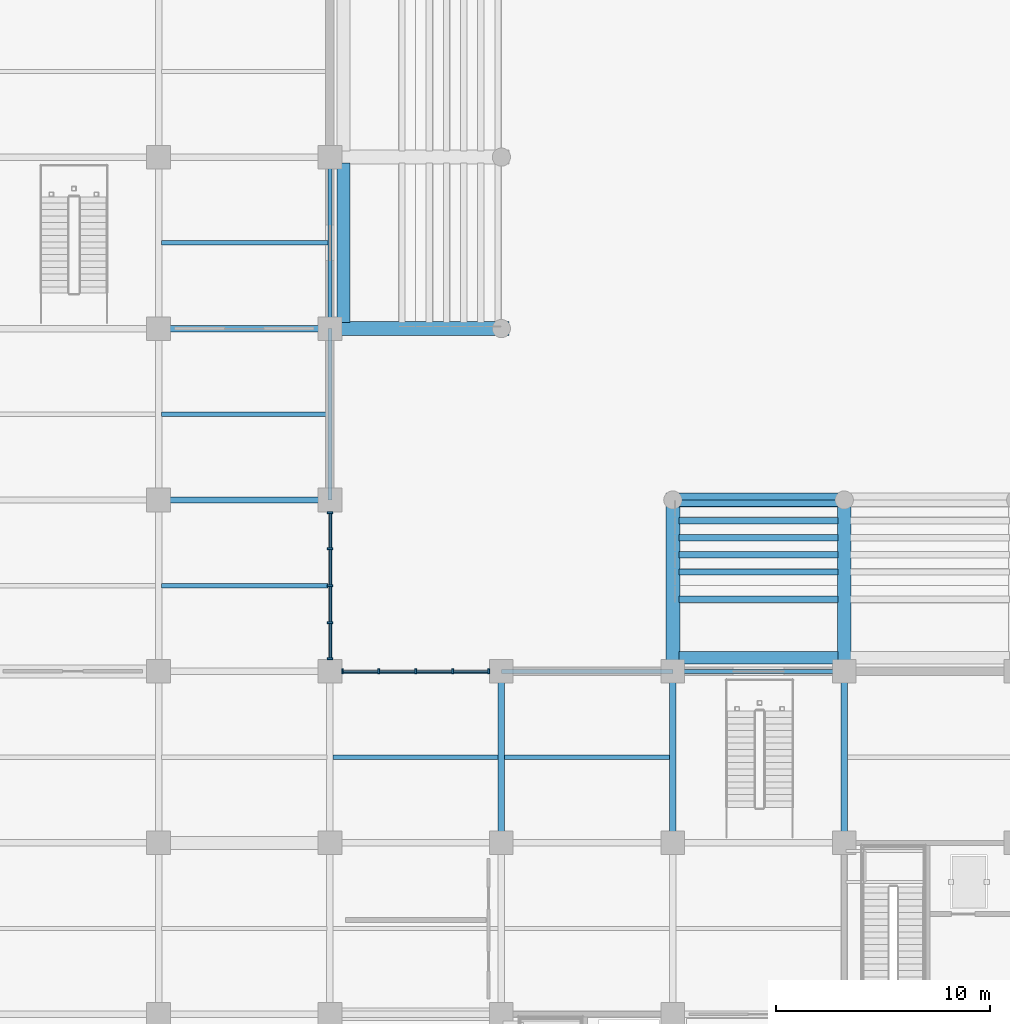
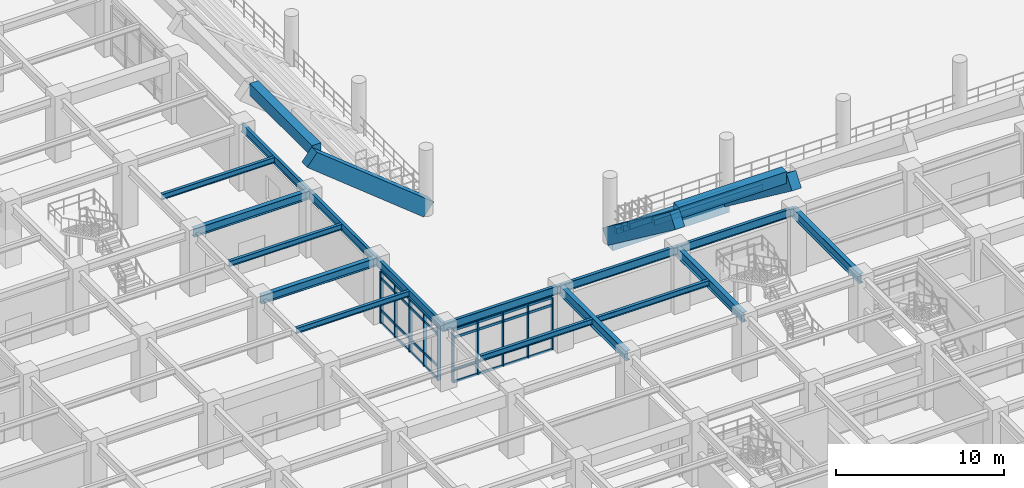
# One storey, part 25 of 125: 42 members, 28 beams, 2 elements without a shape of their own.
"""IFC4 building model written with IfcOpenShell, lengths in metres."""

from ifc_helpers import new_model, si_unit, direction, frame, origin, origin_2d, place, context, subcontext, project, spatial, rectangle, i_section, extrude, material, layer, layer_set, material_profile, profile_set, type_object, element, aggregate, save


model = new_model("IFC4")

# Units and contexts
model_context = context("Model", 3, precision=1e-05, world=origin(), true_north=direction((0.0, 1.0)))
body_context = subcontext(model_context, "Body", "Model", "MODEL_VIEW")
ifc_project = project(units=[si_unit("LENGTHUNIT", "METRE"), si_unit("AREAUNIT", "SQUARE_METRE"), si_unit("VOLUMEUNIT", "CUBIC_METRE"), si_unit("PLANEANGLEUNIT", "RADIAN"), si_unit("MASSUNIT", "GRAM", prefix="KILO")], contexts=[model_context])

# Site, building, storey
site_placement = place(None, origin())
site = spatial("IfcSite", under=ifc_project, at=site_placement, CompositionType="ELEMENT")
building_placement = place(site_placement, origin())
building = spatial("IfcBuilding", under=site, at=building_placement, Name="Haebicheon Civic Stadium", CompositionType="ELEMENT")
storey_placement = place(building_placement, origin())
storey = spatial("IfcBuildingStorey", under=building, at=storey_placement, Name="L01", CompositionType="ELEMENT", Elevation=0.0)

# Beams
ifc_material_1 = material(Name="Precast concrete C40/50", Category="concrete")
ifc_material_profile_1 = material_profile(ifc_material_1, rectangle(XDim=0.300048828125, YDim=0.39990234375, at=origin_2d()), Name="PC-LN-300x400")
ifc_profile_set_1 = profile_set([ifc_material_profile_1], Name="Precast concrete C40/50")
beam_type_1 = type_object("IfcBeamType", Name="BM-LN-300x400", PredefinedType="LINTEL", material=ifc_profile_set_1)
for number, where, z_axis, x_axis, name in (
    (1, (80.280029296875, 39.840087890625, 0.760009765625), (1.0, 0.0, 0.0), (0.0, 1.0, 0.0), "TIER-S-L precast step carrier beam 1.1"),
    (2, (80.280029296875, 39.0400390625, 1.427001953125), (1.0, 0.0, 0.0), (0.0, 1.0, 0.0), "TIER-S-L precast step carrier beam 1.2"),
    (3, (80.280029296875, 38.239990234375, 2.093017578125), (1.0, 0.0, 0.0), (0.0, 1.0, 0.0), "TIER-S-L precast step carrier beam 1.3"),
    (4, (80.280029296875, 37.43994140625, 2.760009765625), (1.0, 0.0, 0.0), (0.0, 1.0, 0.0), "TIER-S-L precast step carrier beam 1.4"),
    (5, (80.280029296875, 36.639892578125, 3.427001953125), (1.0, 0.0, 0.0), (0.0, 1.0, 0.0), "TIER-S-L precast step carrier beam 1.5"),
    (6, (80.280029296875, 35.360107421875, 4.093017578125), (1.0, 0.0, 0.0), (0.0, 1.0, 0.0), "TIER-S-L precast step carrier beam 1.6"),
):
    element("IfcBeam", number, at=place(storey_placement, frame(where, z_axis=z_axis, x_axis=x_axis)), inside=storey, type_object=beam_type_1, material=ifc_profile_set_1, Name=name, PredefinedType="LINTEL", context=body_context, shape_type="SweptSolid", body=[
        extrude(rectangle(XDim=0.300048828125, YDim=0.39990234375, at=origin_2d()), origin(), (0.0, 0.0, 1.0), 7.43994140625),
    ])
ifc_material_2 = material(Name="Concrete C40/50", Category="concrete")
ifc_material_profile_2 = material_profile(ifc_material_2, rectangle(XDim=0.64990234375, YDim=1.0, at=origin_2d()), Name="RC-BM-650x1000")
ifc_profile_set_2 = profile_set([ifc_material_profile_2], Name="Concrete C40/50")
beam_type_2 = type_object("IfcBeamType", Name="BM-RC-650x1000", PredefinedType="BEAM", material=ifc_profile_set_2)
beam_1_placement = place(storey_placement, frame((80.0, 40.0, -0.0400390625), z_axis=(1.0, 0.0, 0.0), x_axis=(0.0, 1.0, 0.0)))
element("IfcBeam", 7, at=beam_1_placement, inside=storey, type_object=beam_type_2, material=ifc_profile_set_2, Name="TIER-S-L nose support girder 1", PredefinedType="BEAM", context=body_context, shape_type="SweptSolid", body=[
    extrude(rectangle(XDim=0.64990234375, YDim=1.0, at=origin_2d()), origin(), (0.0, 0.0, 1.0), 8.0),
])
ifc_material_3 = material(Name="Steel SM355 (S355)", Category="steel")
ifc_material_profile_3 = material_profile(ifc_material_3, i_section(OverallWidth=0.300048828125, OverallDepth=0.60009765625, WebThickness=0.011962890625, FlangeThickness=0.02001953125, at=origin_2d()), Name="H-600x300x12x20")
ifc_profile_set_3 = profile_set([ifc_material_profile_3], Name="Steel SM355 (S355)")
beam_type_3 = type_object("IfcBeamType", Name="BM-ST-H600A", PredefinedType="BEAM", material=ifc_profile_set_3)
for number, where, z_axis, x_axis, name in (
    (8, (56.0, 40.0, 4.179931640625), (1.0, 0.0, 0.0), (0.0, 1.0, 0.0), "L01 beam F/8-9"),
    (9, (56.0, 48.0, 4.179931640625), (1.0, 0.0, 0.0), (0.0, 1.0, 0.0), "L01 beam G/8-9"),
):
    element("IfcBeam", number, at=place(storey_placement, frame(where, z_axis=z_axis, x_axis=x_axis)), inside=storey, type_object=beam_type_3, material=ifc_profile_set_3, Name=name, PredefinedType="BEAM", context=body_context, shape_type="SweptSolid", body=[
        extrude(i_section(OverallWidth=0.300048828125, OverallDepth=0.60009765625, WebThickness=0.011962890625, FlangeThickness=0.02001953125, at=origin_2d()), origin(), (0.0, 0.0, 1.0), 8.0),
    ])
ifc_material_4 = material(Name="Steel SM490", Category="steel")
ifc_material_profile_4 = material_profile(ifc_material_4, i_section(OverallWidth=0.300048828125, OverallDepth=0.699951171875, WebThickness=0.012939453125, FlangeThickness=0.02392578125, at=origin_2d()), Name="H-700x300x13x24")
ifc_profile_set_4 = profile_set([ifc_material_profile_4], Name="Steel SM490")
beam_type_4 = type_object("IfcBeamType", Name="BM-ST-H700", PredefinedType="BEAM", material=ifc_profile_set_4)
for number, where, z_axis, x_axis, name in (
    (10, (72.0, 24.0, 4.169921875), (0.0, 1.0, 0.0), (-1.0, 0.0, 0.0), "L01 girder 10/D-E"),
    (11, (80.0, 24.0, 4.169921875), (0.0, 1.0, 0.0), (-1.0, 0.0, 0.0), "L01 girder 11/D-E"),
    (12, (88.0, 24.0, 4.169921875), (0.0, 1.0, 0.0), (-1.0, 0.0, 0.0), "L01 girder 12/D-E"),
):
    element("IfcBeam", number, at=place(storey_placement, frame(where, z_axis=z_axis, x_axis=x_axis)), inside=storey, type_object=beam_type_4, material=ifc_profile_set_4, Name=name, PredefinedType="BEAM", context=body_context, shape_type="SweptSolid", body=[
        extrude(i_section(OverallWidth=0.300048828125, OverallDepth=0.699951171875, WebThickness=0.012939453125, FlangeThickness=0.02392578125, at=origin_2d()), origin(), (0.0, 0.0, 1.0), 8.0),
    ])
ifc_material_5 = material(Name="Precast concrete C40/50", Category="concrete")
ifc_material_profile_5 = material_profile(ifc_material_5, rectangle(XDim=0.60009765625, YDim=0.85009765625, at=origin_2d()), Name="PC-TB-600x850")
ifc_profile_set_5 = profile_set([ifc_material_profile_5], Name="Precast concrete C40/50")
beam_type_5 = type_object("IfcBeamType", Name="BM-TB-600x850", PredefinedType="T_BEAM", material=ifc_profile_set_5)
for number, where, z_axis, x_axis, name in (
    (13, (64.639892578125, 48.280029296875, 6.93505859375), (0.0, 1.0, 0.0), (-1.0, 0.0, 0.0), "TIER-W-L upper tier bench carrier beam 1"),
    (14, (80.280029296875, 32.639892578125, 6.534912109375), (1.0, 0.0, 0.0), (0.0, 1.0, 0.0), "TIER-S-L upper tier bench carrier beam 1"),
):
    element("IfcBeam", number, at=place(storey_placement, frame(where, z_axis=z_axis, x_axis=x_axis)), inside=storey, type_object=beam_type_5, material=ifc_profile_set_5, Name=name, PredefinedType="T_BEAM", context=body_context, shape_type="SweptSolid", body=[
        extrude(rectangle(XDim=0.60009765625, YDim=0.85009765625, at=origin_2d()), origin(), (0.0, 0.0, 1.0), 7.43994140625),
    ])

# Curtain wall, members
ifc_material_6 = material(Name="Anodised aluminium and laminated glass", Category="aluminium")
ifc_layer = layer(ifc_material_6, 0.179931640625, Name="Anodised aluminium and laminated glass")
ifc_layer_set = layer_set([ifc_layer], Name="Anodised aluminium and laminated glass")
curtain_wall_type = type_object("IfcCurtainWallType", Name="CW-6900x3770", PredefinedType="NOTDEFINED", material=ifc_layer_set)
curtain_wall_1_placement = place(storey_placement, origin())
curtain_wall_1 = element("IfcCurtainWall", 15, at=curtain_wall_1_placement, inside=storey, type_object=curtain_wall_type, material=ifc_layer_set, Name="L01 unitised curtain wall 005", PredefinedType="NOTDEFINED")
ifc_material_7 = material(Name="Anodised aluminium 6063-T6", Category="aluminium")
ifc_material_profile_6 = material_profile(ifc_material_7, rectangle(XDim=0.080078125, YDim=0.239990234375, at=origin_2d()), Name="ALU-MULL-80x240")
ifc_profile_set_6 = profile_set([ifc_material_profile_6], Name="Anodised aluminium 6063-T6")
member_type_1 = type_object("IfcMemberType", Name="CWM-240x80", PredefinedType="MULLION", material=ifc_profile_set_6)
member_1_placement = place(storey_placement, frame((64.0, 32.590087890625, 0.0), z_axis=(0.0, 0.0, 1.0), x_axis=(0.0, 1.0, 0.0)))
member_1 = element("IfcMember", 16, at=member_1_placement, type_object=member_type_1, material=ifc_profile_set_6, Name="CW-L01-005 vertical mullion 1", PredefinedType="MULLION", context=body_context, shape_type="SweptSolid", body=[
    extrude(rectangle(XDim=0.080078125, YDim=0.239990234375, at=origin_2d()), origin(), (0.0, 0.0, 1.0), 3.77001953125),
])
member_2_placement = place(storey_placement, frame((64.0, 34.27490234375, 0.0), z_axis=(0.0, 0.0, 1.0), x_axis=(0.0, 1.0, 0.0)))
member_2 = element("IfcMember", 17, at=member_2_placement, type_object=member_type_1, material=ifc_profile_set_6, Name="CW-L01-005 vertical mullion 2", PredefinedType="MULLION", context=body_context, shape_type="SweptSolid", body=[
    extrude(rectangle(XDim=0.080078125, YDim=0.239990234375, at=origin_2d()), origin(), (0.0, 0.0, 1.0), 3.77001953125),
])
member_3_placement = place(storey_placement, frame((64.0, 36.0, 0.0), z_axis=(0.0, 0.0, 1.0), x_axis=(0.0, 1.0, 0.0)))
member_3 = element("IfcMember", 18, at=member_3_placement, type_object=member_type_1, material=ifc_profile_set_6, Name="CW-L01-005 vertical mullion 3", PredefinedType="MULLION", context=body_context, shape_type="SweptSolid", body=[
    extrude(rectangle(XDim=0.080078125, YDim=0.239990234375, at=origin_2d()), origin(), (0.0, 0.0, 1.0), 3.77001953125),
])
member_4_placement = place(storey_placement, frame((64.0, 37.72509765625, 0.0), z_axis=(0.0, 0.0, 1.0), x_axis=(0.0, 1.0, 0.0)))
member_4 = element("IfcMember", 19, at=member_4_placement, type_object=member_type_1, material=ifc_profile_set_6, Name="CW-L01-005 vertical mullion 4", PredefinedType="MULLION", context=body_context, shape_type="SweptSolid", body=[
    extrude(rectangle(XDim=0.080078125, YDim=0.239990234375, at=origin_2d()), origin(), (0.0, 0.0, 1.0), 3.77001953125),
])
member_5_placement = place(storey_placement, frame((64.0, 39.409912109375, 0.0), z_axis=(0.0, 0.0, 1.0), x_axis=(0.0, 1.0, 0.0)))
member_5 = element("IfcMember", 20, at=member_5_placement, type_object=member_type_1, material=ifc_profile_set_6, Name="CW-L01-005 vertical mullion 5", PredefinedType="MULLION", context=body_context, shape_type="SweptSolid", body=[
    extrude(rectangle(XDim=0.080078125, YDim=0.239990234375, at=origin_2d()), origin(), (0.0, 0.0, 1.0), 3.77001953125),
])

curtain_wall_2_placement = place(storey_placement, origin())
curtain_wall_2 = element("IfcCurtainWall", 21, at=curtain_wall_2_placement, inside=storey, type_object=curtain_wall_type, material=ifc_layer_set, Name="L01 unitised curtain wall 009", PredefinedType="NOTDEFINED")
member_6_placement = place(storey_placement, frame((64.590087890625, 32.0, 0.0), z_axis=(0.0, 0.0, 1.0), x_axis=(1.0, 0.0, 0.0)))
member_6 = element("IfcMember", 22, at=member_6_placement, type_object=member_type_1, material=ifc_profile_set_6, Name="CW-L01-009 vertical mullion 1", PredefinedType="MULLION", context=body_context, shape_type="SweptSolid", body=[
    extrude(rectangle(XDim=0.080078125, YDim=0.239990234375, at=origin_2d()), origin(), (0.0, 0.0, 1.0), 3.77001953125),
])
member_7_placement = place(storey_placement, frame((66.27490234375, 32.0, 0.0), z_axis=(0.0, 0.0, 1.0), x_axis=(1.0, 0.0, 0.0)))
member_7 = element("IfcMember", 23, at=member_7_placement, type_object=member_type_1, material=ifc_profile_set_6, Name="CW-L01-009 vertical mullion 2", PredefinedType="MULLION", context=body_context, shape_type="SweptSolid", body=[
    extrude(rectangle(XDim=0.080078125, YDim=0.239990234375, at=origin_2d()), origin(), (0.0, 0.0, 1.0), 3.77001953125),
])
member_8_placement = place(storey_placement, frame((68.0, 32.0, 0.0), z_axis=(0.0, 0.0, 1.0), x_axis=(1.0, 0.0, 0.0)))
member_8 = element("IfcMember", 24, at=member_8_placement, type_object=member_type_1, material=ifc_profile_set_6, Name="CW-L01-009 vertical mullion 3", PredefinedType="MULLION", context=body_context, shape_type="SweptSolid", body=[
    extrude(rectangle(XDim=0.080078125, YDim=0.239990234375, at=origin_2d()), origin(), (0.0, 0.0, 1.0), 3.77001953125),
])
member_9_placement = place(storey_placement, frame((69.72509765625, 32.0, 0.0), z_axis=(0.0, 0.0, 1.0), x_axis=(1.0, 0.0, 0.0)))
member_9 = element("IfcMember", 25, at=member_9_placement, type_object=member_type_1, material=ifc_profile_set_6, Name="CW-L01-009 vertical mullion 4", PredefinedType="MULLION", context=body_context, shape_type="SweptSolid", body=[
    extrude(rectangle(XDim=0.080078125, YDim=0.239990234375, at=origin_2d()), origin(), (0.0, 0.0, 1.0), 3.77001953125),
])
member_10_placement = place(storey_placement, frame((71.409912109375, 32.0, 0.0), z_axis=(0.0, 0.0, 1.0), x_axis=(1.0, 0.0, 0.0)))
member_10 = element("IfcMember", 26, at=member_10_placement, type_object=member_type_1, material=ifc_profile_set_6, Name="CW-L01-009 vertical mullion 5", PredefinedType="MULLION", context=body_context, shape_type="SweptSolid", body=[
    extrude(rectangle(XDim=0.080078125, YDim=0.239990234375, at=origin_2d()), origin(), (0.0, 0.0, 1.0), 3.77001953125),
])

# Member
ifc_material_8 = material(Name="Anodised aluminium 6063-T6", Category="aluminium")
ifc_material_profile_7 = material_profile(ifc_material_8, rectangle(XDim=0.080078125, YDim=0.179931640625, at=origin_2d()), Name="ALU-TRAN-80x180")
ifc_profile_set_7 = profile_set([ifc_material_profile_7], Name="Anodised aluminium 6063-T6")
member_type_2 = type_object("IfcMemberType", Name="CWT-180x80", PredefinedType="NOTDEFINED", material=ifc_profile_set_7)
member_11_placement = place(storey_placement, frame((64.0, 32.6298828125, 0.0), z_axis=(0.0, 1.0, 0.0), x_axis=(-1.0, 0.0, 0.0)))
member_11 = element("IfcMember", 27, at=member_11_placement, type_object=member_type_2, material=ifc_profile_set_7, Name="CW-L01-005 horizontal transom 1.1", ObjectType="TRANSOM", PredefinedType="USERDEFINED", context=body_context, shape_type="SweptSolid", body=[
    extrude(rectangle(XDim=0.080078125, YDim=0.179931640625, at=origin_2d()), origin(), (0.0, 0.0, 1.0), 1.605224609375),
])

member_12_placement = place(storey_placement, frame((64.0, 32.6298828125, 0.89990234375), z_axis=(0.0, 1.0, 0.0), x_axis=(-1.0, 0.0, 0.0)))
member_12 = element("IfcMember", 28, at=member_12_placement, type_object=member_type_2, material=ifc_profile_set_7, Name="CW-L01-005 horizontal transom 1.2", ObjectType="TRANSOM", PredefinedType="USERDEFINED", context=body_context, shape_type="SweptSolid", body=[
    extrude(rectangle(XDim=0.080078125, YDim=0.179931640625, at=origin_2d()), origin(), (0.0, 0.0, 1.0), 1.605224609375),
])

member_13_placement = place(storey_placement, frame((64.0, 32.6298828125, 3.219970703125), z_axis=(0.0, 1.0, 0.0), x_axis=(-1.0, 0.0, 0.0)))
member_13 = element("IfcMember", 29, at=member_13_placement, type_object=member_type_2, material=ifc_profile_set_7, Name="CW-L01-005 horizontal transom 1.3", ObjectType="TRANSOM", PredefinedType="USERDEFINED", context=body_context, shape_type="SweptSolid", body=[
    extrude(rectangle(XDim=0.080078125, YDim=0.179931640625, at=origin_2d()), origin(), (0.0, 0.0, 1.0), 1.605224609375),
])

member_14_placement = place(storey_placement, frame((64.0, 32.6298828125, 3.77001953125), z_axis=(0.0, 1.0, 0.0), x_axis=(-1.0, 0.0, 0.0)))
member_14 = element("IfcMember", 30, at=member_14_placement, type_object=member_type_2, material=ifc_profile_set_7, Name="CW-L01-005 horizontal transom 1.4", ObjectType="TRANSOM", PredefinedType="USERDEFINED", context=body_context, shape_type="SweptSolid", body=[
    extrude(rectangle(XDim=0.080078125, YDim=0.179931640625, at=origin_2d()), origin(), (0.0, 0.0, 1.0), 1.605224609375),
])

member_15_placement = place(storey_placement, frame((64.0, 34.31494140625, 0.0), z_axis=(0.0, 1.0, 0.0), x_axis=(-1.0, 0.0, 0.0)))
member_15 = element("IfcMember", 31, at=member_15_placement, type_object=member_type_2, material=ifc_profile_set_7, Name="CW-L01-005 horizontal transom 2.1", ObjectType="TRANSOM", PredefinedType="USERDEFINED", context=body_context, shape_type="SweptSolid", body=[
    extrude(rectangle(XDim=0.080078125, YDim=0.179931640625, at=origin_2d()), origin(), (0.0, 0.0, 1.0), 1.64501953125),
])

member_16_placement = place(storey_placement, frame((64.0, 34.31494140625, 0.89990234375), z_axis=(0.0, 1.0, 0.0), x_axis=(-1.0, 0.0, 0.0)))
member_16 = element("IfcMember", 32, at=member_16_placement, type_object=member_type_2, material=ifc_profile_set_7, Name="CW-L01-005 horizontal transom 2.2", ObjectType="TRANSOM", PredefinedType="USERDEFINED", context=body_context, shape_type="SweptSolid", body=[
    extrude(rectangle(XDim=0.080078125, YDim=0.179931640625, at=origin_2d()), origin(), (0.0, 0.0, 1.0), 1.64501953125),
])

member_17_placement = place(storey_placement, frame((64.0, 34.31494140625, 3.219970703125), z_axis=(0.0, 1.0, 0.0), x_axis=(-1.0, 0.0, 0.0)))
member_17 = element("IfcMember", 33, at=member_17_placement, type_object=member_type_2, material=ifc_profile_set_7, Name="CW-L01-005 horizontal transom 2.3", ObjectType="TRANSOM", PredefinedType="USERDEFINED", context=body_context, shape_type="SweptSolid", body=[
    extrude(rectangle(XDim=0.080078125, YDim=0.179931640625, at=origin_2d()), origin(), (0.0, 0.0, 1.0), 1.64501953125),
])

member_18_placement = place(storey_placement, frame((64.0, 34.31494140625, 3.77001953125), z_axis=(0.0, 1.0, 0.0), x_axis=(-1.0, 0.0, 0.0)))
member_18 = element("IfcMember", 34, at=member_18_placement, type_object=member_type_2, material=ifc_profile_set_7, Name="CW-L01-005 horizontal transom 2.4", ObjectType="TRANSOM", PredefinedType="USERDEFINED", context=body_context, shape_type="SweptSolid", body=[
    extrude(rectangle(XDim=0.080078125, YDim=0.179931640625, at=origin_2d()), origin(), (0.0, 0.0, 1.0), 1.64501953125),
])

member_19_placement = place(storey_placement, frame((64.0, 36.0400390625, 0.0), z_axis=(0.0, 1.0, 0.0), x_axis=(-1.0, 0.0, 0.0)))
member_19 = element("IfcMember", 35, at=member_19_placement, type_object=member_type_2, material=ifc_profile_set_7, Name="CW-L01-005 horizontal transom 3.1", ObjectType="TRANSOM", PredefinedType="USERDEFINED", context=body_context, shape_type="SweptSolid", body=[
    extrude(rectangle(XDim=0.080078125, YDim=0.179931640625, at=origin_2d()), origin(), (0.0, 0.0, 1.0), 1.64501953125),
])

member_20_placement = place(storey_placement, frame((64.0, 36.0400390625, 0.89990234375), z_axis=(0.0, 1.0, 0.0), x_axis=(-1.0, 0.0, 0.0)))
member_20 = element("IfcMember", 36, at=member_20_placement, type_object=member_type_2, material=ifc_profile_set_7, Name="CW-L01-005 horizontal transom 3.2", ObjectType="TRANSOM", PredefinedType="USERDEFINED", context=body_context, shape_type="SweptSolid", body=[
    extrude(rectangle(XDim=0.080078125, YDim=0.179931640625, at=origin_2d()), origin(), (0.0, 0.0, 1.0), 1.64501953125),
])

member_21_placement = place(storey_placement, frame((64.0, 36.0400390625, 3.219970703125), z_axis=(0.0, 1.0, 0.0), x_axis=(-1.0, 0.0, 0.0)))
member_21 = element("IfcMember", 37, at=member_21_placement, type_object=member_type_2, material=ifc_profile_set_7, Name="CW-L01-005 horizontal transom 3.3", ObjectType="TRANSOM", PredefinedType="USERDEFINED", context=body_context, shape_type="SweptSolid", body=[
    extrude(rectangle(XDim=0.080078125, YDim=0.179931640625, at=origin_2d()), origin(), (0.0, 0.0, 1.0), 1.64501953125),
])

member_22_placement = place(storey_placement, frame((64.0, 36.0400390625, 3.77001953125), z_axis=(0.0, 1.0, 0.0), x_axis=(-1.0, 0.0, 0.0)))
member_22 = element("IfcMember", 38, at=member_22_placement, type_object=member_type_2, material=ifc_profile_set_7, Name="CW-L01-005 horizontal transom 3.4", ObjectType="TRANSOM", PredefinedType="USERDEFINED", context=body_context, shape_type="SweptSolid", body=[
    extrude(rectangle(XDim=0.080078125, YDim=0.179931640625, at=origin_2d()), origin(), (0.0, 0.0, 1.0), 1.64501953125),
])

member_23_placement = place(storey_placement, frame((64.0, 37.764892578125, 0.0), z_axis=(0.0, 1.0, 0.0), x_axis=(-1.0, 0.0, 0.0)))
member_23 = element("IfcMember", 39, at=member_23_placement, type_object=member_type_2, material=ifc_profile_set_7, Name="CW-L01-005 horizontal transom 4.1", ObjectType="TRANSOM", PredefinedType="USERDEFINED", context=body_context, shape_type="SweptSolid", body=[
    extrude(rectangle(XDim=0.080078125, YDim=0.179931640625, at=origin_2d()), origin(), (0.0, 0.0, 1.0), 1.605224609375),
])

member_24_placement = place(storey_placement, frame((64.0, 37.764892578125, 0.89990234375), z_axis=(0.0, 1.0, 0.0), x_axis=(-1.0, 0.0, 0.0)))
member_24 = element("IfcMember", 40, at=member_24_placement, type_object=member_type_2, material=ifc_profile_set_7, Name="CW-L01-005 horizontal transom 4.2", ObjectType="TRANSOM", PredefinedType="USERDEFINED", context=body_context, shape_type="SweptSolid", body=[
    extrude(rectangle(XDim=0.080078125, YDim=0.179931640625, at=origin_2d()), origin(), (0.0, 0.0, 1.0), 1.605224609375),
])

member_25_placement = place(storey_placement, frame((64.0, 37.764892578125, 3.219970703125), z_axis=(0.0, 1.0, 0.0), x_axis=(-1.0, 0.0, 0.0)))
member_25 = element("IfcMember", 41, at=member_25_placement, type_object=member_type_2, material=ifc_profile_set_7, Name="CW-L01-005 horizontal transom 4.3", ObjectType="TRANSOM", PredefinedType="USERDEFINED", context=body_context, shape_type="SweptSolid", body=[
    extrude(rectangle(XDim=0.080078125, YDim=0.179931640625, at=origin_2d()), origin(), (0.0, 0.0, 1.0), 1.605224609375),
])

member_26_placement = place(storey_placement, frame((64.0, 37.764892578125, 3.77001953125), z_axis=(0.0, 1.0, 0.0), x_axis=(-1.0, 0.0, 0.0)))
member_26 = element("IfcMember", 42, at=member_26_placement, type_object=member_type_2, material=ifc_profile_set_7, Name="CW-L01-005 horizontal transom 4.4", ObjectType="TRANSOM", PredefinedType="USERDEFINED", context=body_context, shape_type="SweptSolid", body=[
    extrude(rectangle(XDim=0.080078125, YDim=0.179931640625, at=origin_2d()), origin(), (0.0, 0.0, 1.0), 1.605224609375),
])

aggregate(curtain_wall_1, [member_1, member_2, member_3, member_4, member_5, member_11, member_12, member_13, member_14, member_15, member_16, member_17, member_18, member_19, member_20, member_21, member_22, member_23, member_24, member_25, member_26])

member_27_placement = place(storey_placement, frame((64.6298828125, 32.0, 0.0), z_axis=(1.0, 0.0, 0.0), x_axis=(0.0, 1.0, 0.0)))
member_27 = element("IfcMember", 43, at=member_27_placement, type_object=member_type_2, material=ifc_profile_set_7, Name="CW-L01-009 horizontal transom 1.1", ObjectType="TRANSOM", PredefinedType="USERDEFINED", context=body_context, shape_type="SweptSolid", body=[
    extrude(rectangle(XDim=0.080078125, YDim=0.179931640625, at=origin_2d()), origin(), (0.0, 0.0, 1.0), 1.605224609375),
])

member_28_placement = place(storey_placement, frame((64.6298828125, 32.0, 0.89990234375), z_axis=(1.0, 0.0, 0.0), x_axis=(0.0, 1.0, 0.0)))
member_28 = element("IfcMember", 44, at=member_28_placement, type_object=member_type_2, material=ifc_profile_set_7, Name="CW-L01-009 horizontal transom 1.2", ObjectType="TRANSOM", PredefinedType="USERDEFINED", context=body_context, shape_type="SweptSolid", body=[
    extrude(rectangle(XDim=0.080078125, YDim=0.179931640625, at=origin_2d()), origin(), (0.0, 0.0, 1.0), 1.605224609375),
])

member_29_placement = place(storey_placement, frame((64.6298828125, 32.0, 3.219970703125), z_axis=(1.0, 0.0, 0.0), x_axis=(0.0, 1.0, 0.0)))
member_29 = element("IfcMember", 45, at=member_29_placement, type_object=member_type_2, material=ifc_profile_set_7, Name="CW-L01-009 horizontal transom 1.3", ObjectType="TRANSOM", PredefinedType="USERDEFINED", context=body_context, shape_type="SweptSolid", body=[
    extrude(rectangle(XDim=0.080078125, YDim=0.179931640625, at=origin_2d()), origin(), (0.0, 0.0, 1.0), 1.605224609375),
])

member_30_placement = place(storey_placement, frame((64.6298828125, 32.0, 3.77001953125), z_axis=(1.0, 0.0, 0.0), x_axis=(0.0, 1.0, 0.0)))
member_30 = element("IfcMember", 46, at=member_30_placement, type_object=member_type_2, material=ifc_profile_set_7, Name="CW-L01-009 horizontal transom 1.4", ObjectType="TRANSOM", PredefinedType="USERDEFINED", context=body_context, shape_type="SweptSolid", body=[
    extrude(rectangle(XDim=0.080078125, YDim=0.179931640625, at=origin_2d()), origin(), (0.0, 0.0, 1.0), 1.605224609375),
])

member_31_placement = place(storey_placement, frame((66.31494140625, 32.0, 0.0), z_axis=(1.0, 0.0, 0.0), x_axis=(0.0, 1.0, 0.0)))
member_31 = element("IfcMember", 47, at=member_31_placement, type_object=member_type_2, material=ifc_profile_set_7, Name="CW-L01-009 horizontal transom 2.1", ObjectType="TRANSOM", PredefinedType="USERDEFINED", context=body_context, shape_type="SweptSolid", body=[
    extrude(rectangle(XDim=0.080078125, YDim=0.179931640625, at=origin_2d()), origin(), (0.0, 0.0, 1.0), 1.64501953125),
])

member_32_placement = place(storey_placement, frame((66.31494140625, 32.0, 0.89990234375), z_axis=(1.0, 0.0, 0.0), x_axis=(0.0, 1.0, 0.0)))
member_32 = element("IfcMember", 48, at=member_32_placement, type_object=member_type_2, material=ifc_profile_set_7, Name="CW-L01-009 horizontal transom 2.2", ObjectType="TRANSOM", PredefinedType="USERDEFINED", context=body_context, shape_type="SweptSolid", body=[
    extrude(rectangle(XDim=0.080078125, YDim=0.179931640625, at=origin_2d()), origin(), (0.0, 0.0, 1.0), 1.64501953125),
])

member_33_placement = place(storey_placement, frame((66.31494140625, 32.0, 3.219970703125), z_axis=(1.0, 0.0, 0.0), x_axis=(0.0, 1.0, 0.0)))
member_33 = element("IfcMember", 49, at=member_33_placement, type_object=member_type_2, material=ifc_profile_set_7, Name="CW-L01-009 horizontal transom 2.3", ObjectType="TRANSOM", PredefinedType="USERDEFINED", context=body_context, shape_type="SweptSolid", body=[
    extrude(rectangle(XDim=0.080078125, YDim=0.179931640625, at=origin_2d()), origin(), (0.0, 0.0, 1.0), 1.64501953125),
])

member_34_placement = place(storey_placement, frame((66.31494140625, 32.0, 3.77001953125), z_axis=(1.0, 0.0, 0.0), x_axis=(0.0, 1.0, 0.0)))
member_34 = element("IfcMember", 50, at=member_34_placement, type_object=member_type_2, material=ifc_profile_set_7, Name="CW-L01-009 horizontal transom 2.4", ObjectType="TRANSOM", PredefinedType="USERDEFINED", context=body_context, shape_type="SweptSolid", body=[
    extrude(rectangle(XDim=0.080078125, YDim=0.179931640625, at=origin_2d()), origin(), (0.0, 0.0, 1.0), 1.64501953125),
])

member_35_placement = place(storey_placement, frame((68.0400390625, 32.0, 0.0), z_axis=(1.0, 0.0, 0.0), x_axis=(0.0, 1.0, 0.0)))
member_35 = element("IfcMember", 51, at=member_35_placement, type_object=member_type_2, material=ifc_profile_set_7, Name="CW-L01-009 horizontal transom 3.1", ObjectType="TRANSOM", PredefinedType="USERDEFINED", context=body_context, shape_type="SweptSolid", body=[
    extrude(rectangle(XDim=0.080078125, YDim=0.179931640625, at=origin_2d()), origin(), (0.0, 0.0, 1.0), 1.64501953125),
])

member_36_placement = place(storey_placement, frame((68.0400390625, 32.0, 0.89990234375), z_axis=(1.0, 0.0, 0.0), x_axis=(0.0, 1.0, 0.0)))
member_36 = element("IfcMember", 52, at=member_36_placement, type_object=member_type_2, material=ifc_profile_set_7, Name="CW-L01-009 horizontal transom 3.2", ObjectType="TRANSOM", PredefinedType="USERDEFINED", context=body_context, shape_type="SweptSolid", body=[
    extrude(rectangle(XDim=0.080078125, YDim=0.179931640625, at=origin_2d()), origin(), (0.0, 0.0, 1.0), 1.64501953125),
])

member_37_placement = place(storey_placement, frame((68.0400390625, 32.0, 3.219970703125), z_axis=(1.0, 0.0, 0.0), x_axis=(0.0, 1.0, 0.0)))
member_37 = element("IfcMember", 53, at=member_37_placement, type_object=member_type_2, material=ifc_profile_set_7, Name="CW-L01-009 horizontal transom 3.3", ObjectType="TRANSOM", PredefinedType="USERDEFINED", context=body_context, shape_type="SweptSolid", body=[
    extrude(rectangle(XDim=0.080078125, YDim=0.179931640625, at=origin_2d()), origin(), (0.0, 0.0, 1.0), 1.64501953125),
])

member_38_placement = place(storey_placement, frame((68.0400390625, 32.0, 3.77001953125), z_axis=(1.0, 0.0, 0.0), x_axis=(0.0, 1.0, 0.0)))
member_38 = element("IfcMember", 54, at=member_38_placement, type_object=member_type_2, material=ifc_profile_set_7, Name="CW-L01-009 horizontal transom 3.4", ObjectType="TRANSOM", PredefinedType="USERDEFINED", context=body_context, shape_type="SweptSolid", body=[
    extrude(rectangle(XDim=0.080078125, YDim=0.179931640625, at=origin_2d()), origin(), (0.0, 0.0, 1.0), 1.64501953125),
])

member_39_placement = place(storey_placement, frame((69.764892578125, 32.0, 0.0), z_axis=(1.0, 0.0, 0.0), x_axis=(0.0, 1.0, 0.0)))
member_39 = element("IfcMember", 55, at=member_39_placement, type_object=member_type_2, material=ifc_profile_set_7, Name="CW-L01-009 horizontal transom 4.1", ObjectType="TRANSOM", PredefinedType="USERDEFINED", context=body_context, shape_type="SweptSolid", body=[
    extrude(rectangle(XDim=0.080078125, YDim=0.179931640625, at=origin_2d()), origin(), (0.0, 0.0, 1.0), 1.605224609375),
])

member_40_placement = place(storey_placement, frame((69.764892578125, 32.0, 0.89990234375), z_axis=(1.0, 0.0, 0.0), x_axis=(0.0, 1.0, 0.0)))
member_40 = element("IfcMember", 56, at=member_40_placement, type_object=member_type_2, material=ifc_profile_set_7, Name="CW-L01-009 horizontal transom 4.2", ObjectType="TRANSOM", PredefinedType="USERDEFINED", context=body_context, shape_type="SweptSolid", body=[
    extrude(rectangle(XDim=0.080078125, YDim=0.179931640625, at=origin_2d()), origin(), (0.0, 0.0, 1.0), 1.605224609375),
])

member_41_placement = place(storey_placement, frame((69.764892578125, 32.0, 3.219970703125), z_axis=(1.0, 0.0, 0.0), x_axis=(0.0, 1.0, 0.0)))
member_41 = element("IfcMember", 57, at=member_41_placement, type_object=member_type_2, material=ifc_profile_set_7, Name="CW-L01-009 horizontal transom 4.3", ObjectType="TRANSOM", PredefinedType="USERDEFINED", context=body_context, shape_type="SweptSolid", body=[
    extrude(rectangle(XDim=0.080078125, YDim=0.179931640625, at=origin_2d()), origin(), (0.0, 0.0, 1.0), 1.605224609375),
])

member_42_placement = place(storey_placement, frame((69.764892578125, 32.0, 3.77001953125), z_axis=(1.0, 0.0, 0.0), x_axis=(0.0, 1.0, 0.0)))
member_42 = element("IfcMember", 58, at=member_42_placement, type_object=member_type_2, material=ifc_profile_set_7, Name="CW-L01-009 horizontal transom 4.4", ObjectType="TRANSOM", PredefinedType="USERDEFINED", context=body_context, shape_type="SweptSolid", body=[
    extrude(rectangle(XDim=0.080078125, YDim=0.179931640625, at=origin_2d()), origin(), (0.0, 0.0, 1.0), 1.605224609375),
])

aggregate(curtain_wall_2, [member_6, member_7, member_8, member_9, member_10, member_27, member_28, member_29, member_30, member_31, member_32, member_33, member_34, member_35, member_36, member_37, member_38, member_39, member_40, member_41, member_42])

# Beams
ifc_material_9 = material(Name="Steel SM355 (S355)", Category="steel")
ifc_material_profile_8 = material_profile(ifc_material_9, i_section(OverallWidth=0.199951171875, OverallDepth=0.39990234375, WebThickness=0.008056640625, FlangeThickness=0.012939453125, at=origin_2d()), Name="H-400x200x8x13")
ifc_profile_set_8 = profile_set([ifc_material_profile_8], Name="Steel SM355 (S355)")
beam_type_6 = type_object("IfcBeamType", Name="JST-ST-H400", PredefinedType="JOIST", material=ifc_profile_set_8)
for number, where, z_axis, x_axis, name in (
    (59, (56.14990234375, 36.0, 4.280029296875), (1.0, 0.0, 0.0), (0.0, 1.0, 0.0), "L01 secondary joist 07-04"),
    (60, (56.14990234375, 44.0, 4.280029296875), (1.0, 0.0, 0.0), (0.0, 1.0, 0.0), "L01 secondary joist 07-05"),
    (61, (56.14990234375, 52.0, 4.280029296875), (1.0, 0.0, 0.0), (0.0, 1.0, 0.0), "L01 secondary joist 07-06"),
):
    element("IfcBeam", number, at=place(storey_placement, frame(where, z_axis=z_axis, x_axis=x_axis)), inside=storey, type_object=beam_type_6, material=ifc_profile_set_8, Name=name, PredefinedType="JOIST", context=body_context, shape_type="SweptSolid", body=[
        extrude(i_section(OverallWidth=0.199951171875, OverallDepth=0.39990234375, WebThickness=0.008056640625, FlangeThickness=0.012939453125, at=origin_2d()), origin(), (0.0, 0.0, 1.0), 7.75),
    ])
for number, where, z_axis, x_axis, name in (
    (62, (64.14990234375, 28.0, 4.320068359375), (1.0, 0.0, 0.0), (0.0, 1.0, 0.0), "L01 secondary joist 08-03"),
    (63, (72.14990234375, 28.0, 4.320068359375), (1.0, 0.0, 0.0), (0.0, 1.0, 0.0), "L01 secondary joist 09-03"),
):
    element("IfcBeam", number, at=place(storey_placement, frame(where, z_axis=z_axis, x_axis=x_axis)), inside=storey, type_object=beam_type_6, material=ifc_profile_set_8, Name=name, PredefinedType="JOIST", context=body_context, shape_type="SweptSolid", body=[
        extrude(i_section(OverallWidth=0.199951171875, OverallDepth=0.39990234375, WebThickness=0.008056640625, FlangeThickness=0.012939453125, at=origin_2d()), origin(), (0.0, 0.0, 1.0), 7.7001953125),
    ])
ifc_material_10 = material(Name="Precast concrete C40/50", Category="concrete")
ifc_material_profile_9 = material_profile(ifc_material_10, rectangle(XDim=0.64990234375, YDim=1.10009765625, at=origin_2d()), Name="PC-RK-650x1100")
ifc_profile_set_9 = profile_set([ifc_material_profile_9], Name="Precast concrete C40/50")
beam_type_7 = type_object("IfcBeamType", Name="RK-PC-650x1100", PredefinedType="USERDEFINED", material=ifc_profile_set_9)
beam_2_placement = place(storey_placement, frame((72.0, 48.0, 0.409912109375), z_axis=(-0.780861834757, 0.0, 0.624703765813), x_axis=(0.0, -1.0, 0.0)))
element("IfcBeam", 64, at=beam_2_placement, inside=storey, type_object=beam_type_7, material=ifc_profile_set_9, Name="TIER-W-L inclined precast raker beam 1", ObjectType="RAKER BEAM", PredefinedType="USERDEFINED", context=body_context, shape_type="SweptSolid", body=[
    extrude(rectangle(XDim=0.64990234375, YDim=1.10009765625, at=origin_2d()), origin(), (0.0, 0.0, 1.0), 10.2451171875),
])
for number, where, z_axis, x_axis, name in (
    (65, (80.0, 40.0, 0.409912109375), (0.0, -0.8, 0.6), (1.0, 0.0, 0.0), "TIER-S-L inclined precast raker beam 1"),
    (66, (88.0, 40.0, 0.409912109375), (0.0, -0.8, 0.6), (1.0, 0.0, 0.0), "TIER-S-L inclined precast raker beam 2"),
):
    element("IfcBeam", number, at=place(storey_placement, frame(where, z_axis=z_axis, x_axis=x_axis)), inside=storey, type_object=beam_type_7, material=ifc_profile_set_9, Name=name, ObjectType="RAKER BEAM", PredefinedType="USERDEFINED", context=body_context, shape_type="SweptSolid", body=[
        extrude(rectangle(XDim=0.64990234375, YDim=1.10009765625, at=origin_2d()), origin(), (0.0, 0.0, 1.0), 10.0),
    ])
ifc_material_11 = material(Name="Steel SM355 (S355)", Category="steel")
ifc_material_profile_10 = material_profile(ifc_material_11, i_section(OverallWidth=0.199951171875, OverallDepth=0.60009765625, WebThickness=0.010986328125, FlangeThickness=0.01708984375, at=origin_2d()), Name="H-600x200x11x17")
ifc_profile_set_10 = profile_set([ifc_material_profile_10], Name="Steel SM355 (S355)")
beam_type_8 = type_object("IfcBeamType", Name="SPD-ST-H600B", PredefinedType="SPANDREL", material=ifc_profile_set_10)
for number, where, z_axis, x_axis, name in (
    (67, (64.0, 32.0, 4.179931640625), (0.0, 1.0, 0.0), (-1.0, 0.0, 0.0), "L01 girder 9/E-F"),
    (68, (64.0, 40.0, 4.179931640625), (0.0, 1.0, 0.0), (-1.0, 0.0, 0.0), "L01 girder 9/F-G"),
    (69, (64.0, 48.0, 4.179931640625), (0.0, 1.0, 0.0), (-1.0, 0.0, 0.0), "L01 girder 9/G-H"),
    (70, (64.0, 32.0, 4.219970703125), (1.0, 0.0, 0.0), (0.0, 1.0, 0.0), "L01 beam E/9-10"),
    (71, (72.0, 32.0, 4.219970703125), (1.0, 0.0, 0.0), (0.0, 1.0, 0.0), "L01 beam E/10-11"),
    (72, (80.0, 32.0, 4.219970703125), (1.0, 0.0, 0.0), (0.0, 1.0, 0.0), "L01 beam E/11-12"),
):
    element("IfcBeam", number, at=place(storey_placement, frame(where, z_axis=z_axis, x_axis=x_axis)), inside=storey, type_object=beam_type_8, material=ifc_profile_set_10, Name=name, PredefinedType="SPANDREL", context=body_context, shape_type="SweptSolid", body=[
        extrude(i_section(OverallWidth=0.199951171875, OverallDepth=0.60009765625, WebThickness=0.010986328125, FlangeThickness=0.01708984375, at=origin_2d()), origin(), (0.0, 0.0, 1.0), 8.0),
    ])

save(model, "model.ifc")
